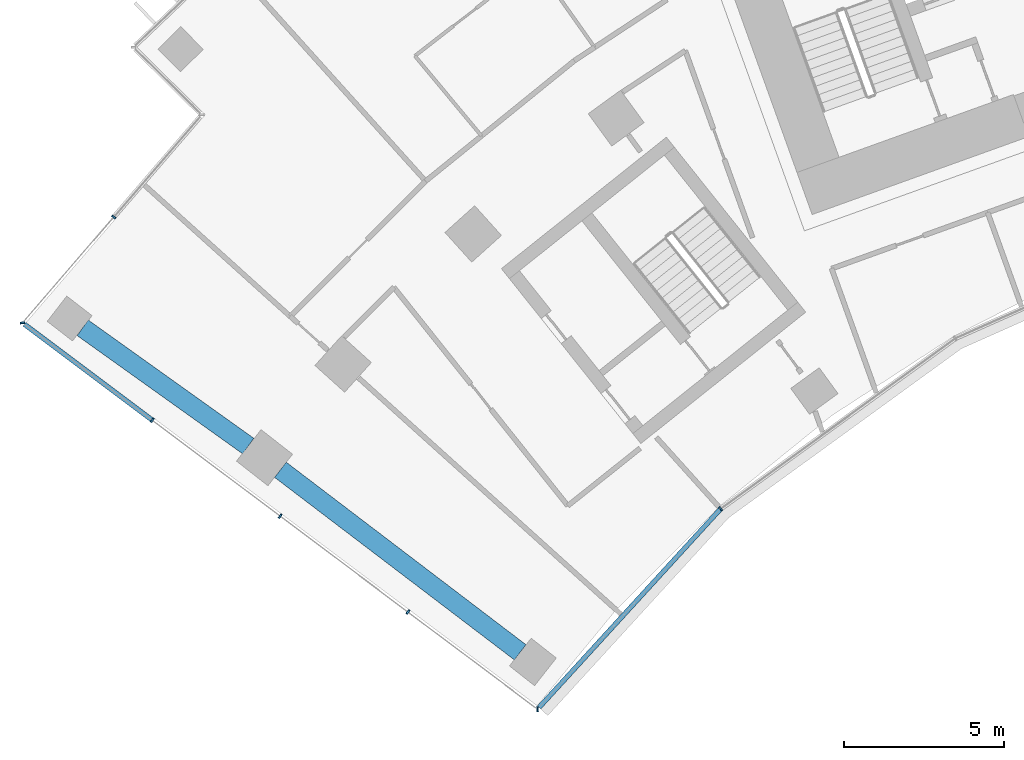
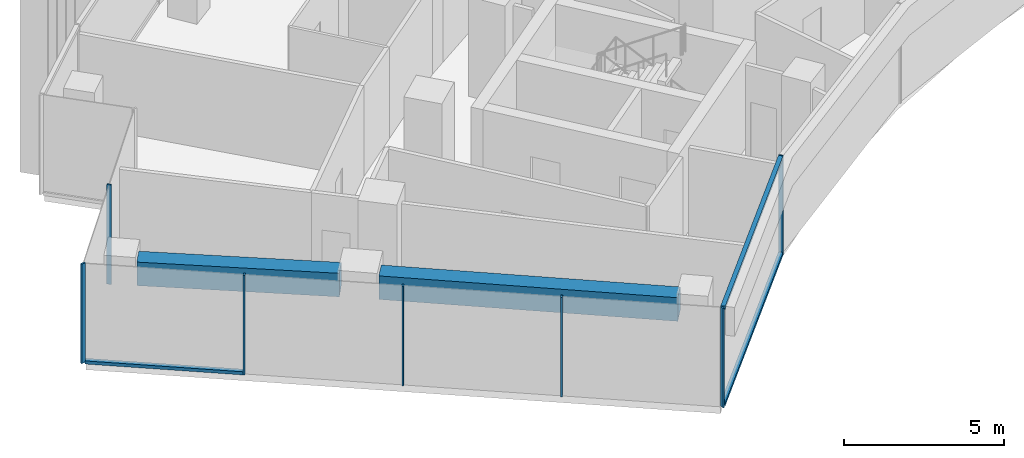
# One storey, part 2 of 23: 10 members, 2 beams, 3 elements without a shape of their own.
"""IFC4 building model written with IfcOpenShell, lengths in metres."""

from ifc_helpers import new_model, si_unit, direction, frame, origin, origin_2d, place, context, subcontext, project, spatial, rectangle, extrude, material, layer, layer_set, material_profile, profile_set, type_object, element, aggregate, save


model = new_model("IFC4")

# Units and contexts
model_context = context("Model", 3, precision=1e-05, world=origin(), true_north=direction((0.0, 1.0)))
body_context = subcontext(model_context, "Body", "Model", "MODEL_VIEW")
ifc_project = project(units=[si_unit("LENGTHUNIT", "METRE"), si_unit("AREAUNIT", "SQUARE_METRE"), si_unit("VOLUMEUNIT", "CUBIC_METRE"), si_unit("PLANEANGLEUNIT", "RADIAN"), si_unit("MASSUNIT", "GRAM", prefix="KILO")], contexts=[model_context])

# Site, building, storey
site_placement = place(None, origin())
site = spatial("IfcSite", under=ifc_project, at=site_placement, CompositionType="ELEMENT")
building_placement = place(site_placement, origin())
building = spatial("IfcBuilding", under=site, at=building_placement, Name="Stone Belt Terrace Tower", CompositionType="ELEMENT")
storey_placement = place(building_placement, frame((0.0, 0.0, 166.800048828125)))
storey = spatial("IfcBuildingStorey", under=building, at=storey_placement, Name="L40", CompositionType="ELEMENT", Elevation=166.800048828125)

# Curtain wall, members
ifc_material_1 = material(Name="Aluminium 6063-T6 anodised frame", Category="aluminium")
ifc_layer_1 = layer(ifc_material_1, 0.14990234375)
ifc_layer_set_1 = layer_set([ifc_layer_1], Name="CW-B unitised concave-face curtain wall")
curtain_wall_type_1 = type_object("IfcCurtainWallType", Name="CW-B unitised concave-face curtain wall", PredefinedType="NOTDEFINED", material=ifc_layer_set_1)
curtain_wall_1_placement = place(storey_placement, origin())
curtain_wall_1 = element("IfcCurtainWall", 1, at=curtain_wall_1_placement, inside=storey, type_object=curtain_wall_type_1, Name="CW-B concave face L40", PredefinedType="NOTDEFINED")
ifc_material_profile_1 = material_profile(ifc_material_1, rectangle(XDim=0.14990234375, YDim=0.050048828125, at=origin_2d()), Name="Aluminium 6063-T6 50x150")
ifc_profile_set_1 = profile_set([ifc_material_profile_1], Name="Aluminium 6063-T6 anodised frame")
member_type_1 = type_object("IfcMemberType", Name="CW-B mullion 50 x 150", PredefinedType="MULLION", material=ifc_profile_set_1)
member_1_placement = place(storey_placement, frame((-34.7900390625, 26.0, 0.0), z_axis=(0.0, 0.0, 1.0), x_axis=(-0.093180581986, 0.995649224949, 0.0)))
member_1 = element("IfcMember", 2, at=member_1_placement, type_object=member_type_1, Name="CW-B mullion 1", PredefinedType="MULLION", context=body_context, shape_type="SweptSolid", body=[
    extrude(rectangle(XDim=0.14990234375, YDim=0.050048828125, at=origin_2d()), origin(), (0.0, 0.0, 1.0), 3.800048828125),
])
member_2_placement = place(storey_placement, frame((-29.056884765625, 32.2705078125, 0.0), z_axis=(0.0, 0.0, 1.0), x_axis=(-0.666300886777, 0.745682994496, 0.0)))
member_2 = element("IfcMember", 3, at=member_2_placement, type_object=member_type_1, Name="CW-B mullion 2", PredefinedType="MULLION", context=body_context, shape_type="SweptSolid", body=[
    extrude(rectangle(XDim=0.14990234375, YDim=0.050048828125, at=origin_2d()), origin(), (0.0, 0.0, 1.0), 3.800048828125),
])
ifc_material_profile_2 = material_profile(ifc_material_1, rectangle(XDim=0.14990234375, YDim=0.1201171875, at=origin_2d()), Name="Aluminium 6063-T6 150x120")
ifc_profile_set_2 = profile_set([ifc_material_profile_2], Name="Aluminium 6063-T6 anodised frame")
member_type_2 = type_object("IfcMemberType", Name="CW-B transom 120 x 150", PredefinedType="USERDEFINED", material=ifc_profile_set_2)
member_3_placement = place(storey_placement, frame((-34.743408203125, 26.05078125, 0.06005859375), z_axis=(0.674757432231, 0.738039570517, 0.0), x_axis=(-0.738039570517, 0.674757432231, 0.0)))
member_3 = element("IfcMember", 4, at=member_3_placement, type_object=member_type_2, Name="CW-B transom 1.1", ObjectType="TRANSOM", PredefinedType="USERDEFINED", context=body_context, shape_type="SweptSolid", body=[
    extrude(rectangle(XDim=0.14990234375, YDim=0.1201171875, at=origin_2d()), origin(), (0.0, 0.0, 1.0), 8.39501953125),
])
member_4_placement = place(storey_placement, frame((-34.743408203125, 26.05078125, 3.739990234375), z_axis=(0.674757432231, 0.738039570517, 0.0), x_axis=(-0.738039570517, 0.674757432231, 0.0)))
member_4 = element("IfcMember", 5, at=member_4_placement, type_object=member_type_2, Name="CW-B transom 1.2", ObjectType="TRANSOM", PredefinedType="USERDEFINED", context=body_context, shape_type="SweptSolid", body=[
    extrude(rectangle(XDim=0.14990234375, YDim=0.1201171875, at=origin_2d()), origin(), (0.0, 0.0, 1.0), 8.39501953125),
])
aggregate(curtain_wall_1, [member_1, member_2, member_3, member_4])

# Curtain wall, member
ifc_layer_2 = layer(ifc_material_1, 0.14990234375)
ifc_layer_set_2 = layer_set([ifc_layer_2], Name="CW-C stick curtain wall, horn ends and notches")
curtain_wall_type_2 = type_object("IfcCurtainWallType", Name="CW-C stick curtain wall, horn ends and notches", PredefinedType="NOTDEFINED", material=ifc_layer_set_2)
curtain_wall_2_placement = place(storey_placement, origin())
curtain_wall_2 = element("IfcCurtainWall", 6, at=curtain_wall_2_placement, inside=storey, type_object=curtain_wall_type_2, Name="CW-C notch face L40", PredefinedType="NOTDEFINED")
ifc_material_profile_3 = material_profile(ifc_material_1, rectangle(XDim=0.14990234375, YDim=0.06005859375, at=origin_2d()), Name="Aluminium 6063-T6 60x150")
ifc_profile_set_3 = profile_set([ifc_material_profile_3], Name="Aluminium 6063-T6 anodised frame")
member_type_3 = type_object("IfcMemberType", Name="CW-C mullion 60 x 150", PredefinedType="MULLION", material=ifc_profile_set_3)
member_5_placement = place(storey_placement, frame((-48.05322265625, 41.40283203125, 0.0), z_axis=(0.0, 0.0, 1.0), x_axis=(0.757583847343, -0.652737860281, 0.0)))
member_5 = element("IfcMember", 7, at=member_5_placement, type_object=member_type_3, Name="CW-C mullion 2", PredefinedType="MULLION", context=body_context, shape_type="SweptSolid", body=[
    extrude(rectangle(XDim=0.14990234375, YDim=0.06005859375, at=origin_2d()), origin(), (0.0, 0.0, 1.0), 3.800048828125),
])
aggregate(curtain_wall_2, [member_5])

# Curtain wall, members
curtain_wall_3_placement = place(storey_placement, origin())
curtain_wall_3 = element("IfcCurtainWall", 8, at=curtain_wall_3_placement, inside=storey, type_object=curtain_wall_type_2, Name="CW-C end face L40", PredefinedType="NOTDEFINED")
member_6_placement = place(storey_placement, frame((-50.908447265625, 38.08935546875, 0.0), z_axis=(0.0, 0.0, 1.0), x_axis=(0.994169356535, 0.107829914807, 0.0)))
member_6 = element("IfcMember", 9, at=member_6_placement, type_object=member_type_3, Name="CW-C mullion 1", PredefinedType="MULLION", context=body_context, shape_type="SweptSolid", body=[
    extrude(rectangle(XDim=0.14990234375, YDim=0.06005859375, at=origin_2d()), origin(), (0.0, 0.0, 1.0), 3.800048828125),
])
member_7_placement = place(storey_placement, frame((-46.84423828125, 35.041015625, 0.0), z_axis=(0.0, 0.0, 1.0), x_axis=(0.600017992436, 0.799986505357, 0.0)))
member_7 = element("IfcMember", 10, at=member_7_placement, type_object=member_type_3, Name="CW-C mullion 2", PredefinedType="MULLION", context=body_context, shape_type="SweptSolid", body=[
    extrude(rectangle(XDim=0.14990234375, YDim=0.06005859375, at=origin_2d()), origin(), (0.0, 0.0, 1.0), 3.800048828125),
])
member_8_placement = place(storey_placement, frame((-42.84423828125, 32.041015625, 0.0), z_axis=(0.0, 0.0, 1.0), x_axis=(0.600017992436, 0.799986505357, 0.0)))
member_8 = element("IfcMember", 11, at=member_8_placement, type_object=member_type_3, Name="CW-C mullion 3", PredefinedType="MULLION", context=body_context, shape_type="SweptSolid", body=[
    extrude(rectangle(XDim=0.14990234375, YDim=0.06005859375, at=origin_2d()), origin(), (0.0, 0.0, 1.0), 3.800048828125),
])
member_9_placement = place(storey_placement, frame((-38.84423828125, 29.040771484375, 0.0), z_axis=(0.0, 0.0, 1.0), x_axis=(0.600017992436, 0.799986505357, 0.0)))
member_9 = element("IfcMember", 12, at=member_9_placement, type_object=member_type_3, Name="CW-C mullion 4", PredefinedType="MULLION", context=body_context, shape_type="SweptSolid", body=[
    extrude(rectangle(XDim=0.14990234375, YDim=0.06005859375, at=origin_2d()), origin(), (0.0, 0.0, 1.0), 3.800048828125),
])
ifc_material_profile_4 = material_profile(ifc_material_1, rectangle(XDim=0.14990234375, YDim=0.1201171875, at=origin_2d()), Name="Aluminium 6063-T6 150x120")
ifc_profile_set_4 = profile_set([ifc_material_profile_4], Name="Aluminium 6063-T6 anodised frame")
member_type_4 = type_object("IfcMemberType", Name="CW-C transom 120 x 150", PredefinedType="USERDEFINED", material=ifc_profile_set_4)
member_10_placement = place(storey_placement, frame((-50.84814453125, 38.044189453125, 0.06005859375), z_axis=(0.799988222323, -0.600015703248, 0.0), x_axis=(0.600015703248, 0.799988222323, 0.0)))
member_10 = element("IfcMember", 13, at=member_10_placement, type_object=member_type_4, Name="CW-C transom 1.1", ObjectType="TRANSOM", PredefinedType="USERDEFINED", context=body_context, shape_type="SweptSolid", body=[
    extrude(rectangle(XDim=0.14990234375, YDim=0.1201171875, at=origin_2d()), origin(), (0.0, 0.0, 1.0), 4.97509765625),
])
aggregate(curtain_wall_3, [member_6, member_7, member_8, member_9, member_10])

# Beams
ifc_material_2 = material(Name="Concrete B60", Category="concrete")
ifc_material_profile_5 = material_profile(ifc_material_2, rectangle(XDim=0.60009765625, YDim=0.89990234375, at=origin_2d()), Name="RC 600x900")
ifc_profile_set_5 = profile_set([ifc_material_profile_5], Name="Concrete B60")
beam_type = type_object("IfcBeamType", Name="Edge beam RC 600x900 B60", PredefinedType="SPANDREL", material=ifc_profile_set_5)
beam_1_placement = place(storey_placement, frame((-35.33203125, 27.779541015625, 3.030029296875), z_axis=(-0.795702028976, 0.605688270552, 0.0), x_axis=(-0.605688270552, -0.795702028976, 0.0)))
element("IfcBeam", 14, at=beam_1_placement, inside=storey, type_object=beam_type, Name="Edge beam L40 A P to Q", PredefinedType="SPANDREL", context=body_context, shape_type="SweptSolid", body=[
    extrude(rectangle(XDim=0.60009765625, YDim=0.89990234375, at=origin_2d()), origin(), (0.0, 0.0, 1.0), 9.430908203125),
])
beam_2_placement = place(storey_placement, frame((-43.842529296875, 34.23388671875, 3.030029296875), z_axis=(-0.813774908454, 0.581180177201, 0.0), x_axis=(-0.581180177201, -0.813774908454, 0.0)))
element("IfcBeam", 15, at=beam_2_placement, inside=storey, type_object=beam_type, Name="Edge beam L40 A Q to R", PredefinedType="SPANDREL", context=body_context, shape_type="SweptSolid", body=[
    extrude(rectangle(XDim=0.60009765625, YDim=0.89990234375, at=origin_2d()), origin(), (0.0, 0.0, 1.0), 6.369140625),
])

save(model, "model.ifc")
